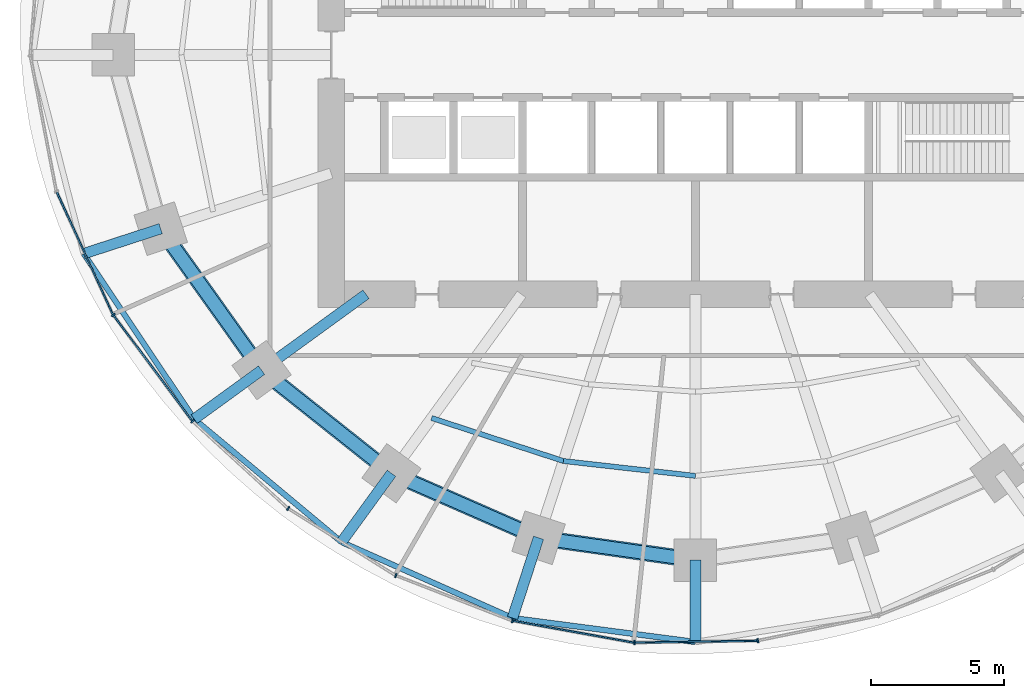
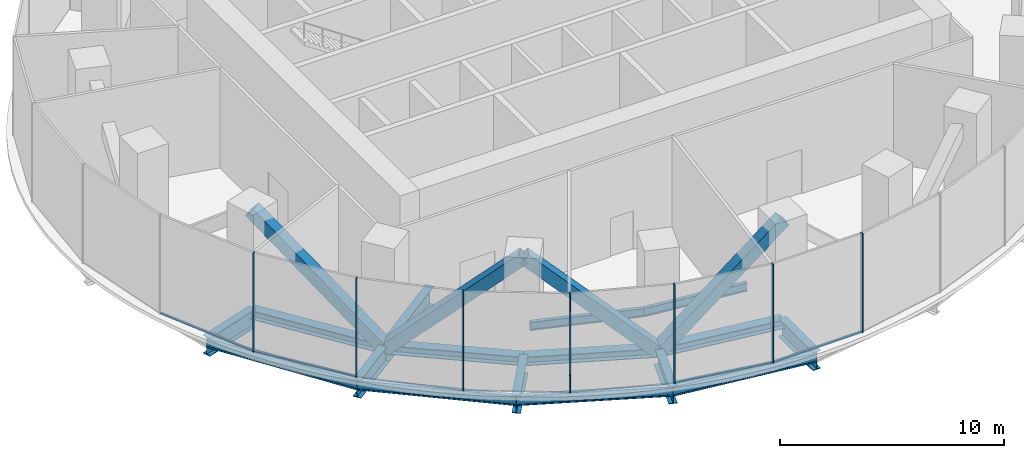
# One storey, part 2 of 14: 19 members, 12 beams, 2 elements without a shape of their own.
"""IFC4 building model written with IfcOpenShell, lengths in metres."""

from ifc_helpers import new_model, si_unit, direction, frame, origin, origin_2d, place, context, subcontext, project, spatial, rectangle, hollow_rectangle, i_section, extrude, material, material_profile, profile_set, type_object, element, aggregate, save


model = new_model("IFC4")

# Units and contexts
model_context = context("Model", 3, precision=1e-05, world=origin(), true_north=direction((0.0, 1.0)))
body_context = subcontext(model_context, "Body", "Model", "MODEL_VIEW")
ifc_project = project(units=[si_unit("LENGTHUNIT", "METRE"), si_unit("AREAUNIT", "SQUARE_METRE"), si_unit("VOLUMEUNIT", "CUBIC_METRE"), si_unit("PLANEANGLEUNIT", "RADIAN"), si_unit("MASSUNIT", "GRAM", prefix="KILO")], contexts=[model_context])

# Site, building, storey
site_placement = place(None, origin())
site = spatial("IfcSite", under=ifc_project, at=site_placement, CompositionType="ELEMENT")
building_placement = place(site_placement, origin())
building = spatial("IfcBuilding", under=site, at=building_placement, Name="Marramba Exchange Tower", CompositionType="ELEMENT")
storey_placement = place(building_placement, frame((0.0, 0.0, 166.5)))
storey = spatial("IfcBuildingStorey", under=building, at=storey_placement, Name="L40", CompositionType="ELEMENT", Elevation=166.5)

# Members
ifc_material_1 = material(Name="Steel AS/NZS 3679.2 grade 300", Category="steel")
ifc_material_profile_1 = material_profile(ifc_material_1, i_section(OverallWidth=0.5, OverallDepth=0.48388671875, WebThickness=0.02490234375, FlangeThickness=0.031982421875, at=origin_2d()), Name="500WC340")
ifc_profile_set_1 = profile_set([ifc_material_profile_1], Name="Steel AS/NZS 3679.2 grade 300")
member_type_1 = type_object("IfcMemberType", Name="Belt truss chord 500WC340", PredefinedType="CHORD", material=ifc_profile_set_1)
member_1_placement = place(storey_placement, frame((-20.109375, -6.533935546875, -0.44189453125), z_axis=(0.580637181111, -0.814162430914, 0.0), x_axis=(0.814162430914, 0.580637181111, 0.0)))
element("IfcMember", 1, at=member_1_placement, inside=storey, type_object=member_type_1, Name="Belt chord L40 TC12-TC13", PredefinedType="CHORD", context=body_context, shape_type="SweptSolid", body=[
    extrude(i_section(OverallWidth=0.5, OverallDepth=0.48388671875, WebThickness=0.02490234375, FlangeThickness=0.031982421875, at=origin_2d()), origin(), (0.0, 0.0, 1.0), 6.5341796875),
])
member_2_placement = place(storey_placement, frame((-16.3154296875, -11.853759765625, -0.44189453125), z_axis=(0.783139438128, -0.621846138887, 0.0), x_axis=(0.621846138887, 0.783139438128, 0.0)))
element("IfcMember", 2, at=member_2_placement, inside=storey, type_object=member_type_1, Name="Belt chord L40 TC13-TC14", PredefinedType="CHORD", context=body_context, shape_type="SweptSolid", body=[
    extrude(i_section(OverallWidth=0.5, OverallDepth=0.48388671875, WebThickness=0.02490234375, FlangeThickness=0.031982421875, at=origin_2d()), origin(), (0.0, 0.0, 1.0), 6.23779296875),
])
member_3_placement = place(storey_placement, frame((-11.430419921875, -15.732666015625, -0.44189453125), z_axis=(0.915876892158, -0.4014592363, 0.0), x_axis=(0.4014592363, 0.915876892158, 0.0)))
element("IfcMember", 3, at=member_3_placement, inside=storey, type_object=member_type_1, Name="Belt chord L40 TC14-TC15", PredefinedType="CHORD", context=body_context, shape_type="SweptSolid", body=[
    extrude(i_section(OverallWidth=0.5, OverallDepth=0.48388671875, WebThickness=0.02490234375, FlangeThickness=0.031982421875, at=origin_2d()), origin(), (0.0, 0.0, 1.0), 6.038818359375),
])
member_4_placement = place(storey_placement, frame((-5.899658203125, -18.156982421875, -0.44189453125), z_axis=(0.990036163016, -0.140813337152, 0.0), x_axis=(0.140813337152, 0.990036163016, 0.0)))
element("IfcMember", 4, at=member_4_placement, inside=storey, type_object=member_type_1, Name="Belt chord L40 TC15-TC16", PredefinedType="CHORD", context=body_context, shape_type="SweptSolid", body=[
    extrude(i_section(OverallWidth=0.5, OverallDepth=0.48388671875, WebThickness=0.02490234375, FlangeThickness=0.031982421875, at=origin_2d()), origin(), (0.0, 0.0, 1.0), 5.958984375),
])
ifc_material_2 = material(Name="Steel AS/NZS 3678 grade 350", Category="steel")
ifc_material_profile_2 = material_profile(ifc_material_2, hollow_rectangle(XDim=0.60009765625, YDim=0.60009765625, WallThickness=0.0400390625, at=origin_2d()), Name="600x600x40BOX")
ifc_profile_set_2 = profile_set([ifc_material_profile_2], Name="Steel AS/NZS 3678 grade 350")
member_type_2 = type_object("IfcMemberType", Name="Belt truss diagonal 600x600x40BOX", PredefinedType="BRACE", material=ifc_profile_set_2)
member_5_placement = place(storey_placement, frame((-20.109375, -6.533935546875, 5.157958984375), z_axis=(0.440879597365, -0.618196037746, -0.650737150885), x_axis=(0.814162430914, 0.580637181111, 0.0)))
element("IfcMember", 5, at=member_5_placement, inside=storey, type_object=member_type_2, Name="Belt truss BT40 diagonal 12", PredefinedType="BRACE", context=body_context, shape_type="SweptSolid", body=[
    extrude(hollow_rectangle(XDim=0.60009765625, YDim=0.60009765625, WallThickness=0.0400390625, at=origin_2d()), origin(), (0.0, 0.0, 1.0), 8.60546875),
])
member_6_placement = place(storey_placement, frame((-16.3154296875, -11.853759765625, -0.44189453125), z_axis=(0.582757533009, -0.462734353763, 0.668034861043), x_axis=(0.621846138887, 0.783139438128, 0.0)))
element("IfcMember", 6, at=member_6_placement, inside=storey, type_object=member_type_2, Name="Belt truss BT40 diagonal 13", PredefinedType="BRACE", context=body_context, shape_type="SweptSolid", body=[
    extrude(hollow_rectangle(XDim=0.60009765625, YDim=0.60009765625, WallThickness=0.0400390625, at=origin_2d()), origin(), (0.0, 0.0, 1.0), 8.382568359375),
])
member_7_placement = place(storey_placement, frame((-11.430419921875, -15.732666015625, 5.157958984375), z_axis=(0.67156810861, -0.294370588792, -0.679957522168), x_axis=(0.4014592363, 0.915876892158, 0.0)))
element("IfcMember", 7, at=member_7_placement, inside=storey, type_object=member_type_2, Name="Belt truss BT40 diagonal 14", PredefinedType="BRACE", context=body_context, shape_type="SweptSolid", body=[
    extrude(hollow_rectangle(XDim=0.60009765625, YDim=0.60009765625, WallThickness=0.0400390625, at=origin_2d()), origin(), (0.0, 0.0, 1.0), 8.235595703125),
])
member_8_placement = place(storey_placement, frame((-5.899658203125, -18.156982421875, -0.44189453125), z_axis=(0.721466673774, -0.102614564774, 0.684803687), x_axis=(0.140813337152, 0.990036163016, 0.0)))
element("IfcMember", 8, at=member_8_placement, inside=storey, type_object=member_type_2, Name="Belt truss BT40 diagonal 15", PredefinedType="BRACE", context=body_context, shape_type="SweptSolid", body=[
    extrude(hollow_rectangle(XDim=0.60009765625, YDim=0.60009765625, WallThickness=0.0400390625, at=origin_2d()), origin(), (0.0, 0.0, 1.0), 8.17724609375),
])

# Beams
ifc_material_profile_3 = material_profile(ifc_material_1, i_section(OverallWidth=0.39990234375, OverallDepth=1.0, WebThickness=0.01611328125, FlangeThickness=0.031982421875, at=origin_2d()), Name="1000WB322")
ifc_profile_set_3 = profile_set([ifc_material_profile_3], Name="Steel AS/NZS 3679.2 grade 300")
beam_type_1 = type_object("IfcBeamType", Name="Cantilever girder 1000WB322", PredefinedType="BEAM", material=ifc_profile_set_3)
beam_1_placement = place(storey_placement, frame((-20.109375, -6.533935546875, -0.699951171875), z_axis=(-0.951070617775, -0.308973591113, 0.0), x_axis=(0.308973591113, -0.951070617775, 0.0)))
element("IfcBeam", 9, at=beam_1_placement, inside=storey, type_object=beam_type_1, Name="Cantilever girder L40 TC12", PredefinedType="BEAM", context=body_context, shape_type="SweptSolid", body=[
    extrude(i_section(OverallWidth=0.39990234375, OverallDepth=1.0, WebThickness=0.01611328125, FlangeThickness=0.031982421875, at=origin_2d()), origin(), (0.0, 0.0, 1.0), 3.04296875),
])
beam_2_placement = place(storey_placement, frame((-16.3154296875, -11.853759765625, -0.699951171875), z_axis=(-0.809025813822, -0.587773113173, 0.0), x_axis=(0.587773113173, -0.809025813822, 0.0)))
element("IfcBeam", 10, at=beam_2_placement, inside=storey, type_object=beam_type_1, Name="Cantilever girder L40 TC13", PredefinedType="BEAM", context=body_context, shape_type="SweptSolid", body=[
    extrude(i_section(OverallWidth=0.39990234375, OverallDepth=1.0, WebThickness=0.01611328125, FlangeThickness=0.031982421875, at=origin_2d()), origin(), (0.0, 0.0, 1.0), 3.132568359375),
])
beam_3_placement = place(storey_placement, frame((-11.430419921875, -15.732666015625, -0.699951171875), z_axis=(-0.587767308424, -0.809030031054, 0.0), x_axis=(0.809030031054, -0.587767308424, 0.0)))
element("IfcBeam", 11, at=beam_3_placement, inside=storey, type_object=beam_type_1, Name="Cantilever girder L40 TC14", PredefinedType="BEAM", context=body_context, shape_type="SweptSolid", body=[
    extrude(i_section(OverallWidth=0.39990234375, OverallDepth=1.0, WebThickness=0.01611328125, FlangeThickness=0.031982421875, at=origin_2d()), origin(), (0.0, 0.0, 1.0), 3.195556640625),
])
beam_4_placement = place(storey_placement, frame((-5.899658203125, -18.156982421875, -0.699951171875), z_axis=(-0.309018232614, -0.951056113966, 0.0), x_axis=(0.951056113966, -0.309018232614, 0.0)))
element("IfcBeam", 12, at=beam_4_placement, inside=storey, type_object=beam_type_1, Name="Cantilever girder L40 TC15", PredefinedType="BEAM", context=body_context, shape_type="SweptSolid", body=[
    extrude(i_section(OverallWidth=0.39990234375, OverallDepth=1.0, WebThickness=0.01611328125, FlangeThickness=0.031982421875, at=origin_2d()), origin(), (0.0, 0.0, 1.0), 3.173583984375),
])
beam_5_placement = place(storey_placement, frame((0.0, -18.99609375, -0.699951171875), z_axis=(0.0, -1.0, 0.0), x_axis=(1.0, 0.0, 0.0)))
element("IfcBeam", 13, at=beam_5_placement, inside=storey, type_object=beam_type_1, Name="Cantilever girder L40 TC16", PredefinedType="BEAM", context=body_context, shape_type="SweptSolid", body=[
    extrude(i_section(OverallWidth=0.39990234375, OverallDepth=1.0, WebThickness=0.01611328125, FlangeThickness=0.031982421875, at=origin_2d()), origin(), (0.0, 0.0, 1.0), 3.080810546875),
])
ifc_material_3 = material(Name="Steel AS/NZS 3679.1 grade 300", Category="steel")
ifc_material_profile_4 = material_profile(ifc_material_3, i_section(OverallWidth=0.19091796875, OverallDepth=0.4599609375, WebThickness=0.010009765625, FlangeThickness=0.01611328125, FilletRadius=0.011474609375, at=origin_2d()), Name="460UB82.1")
ifc_profile_set_4 = profile_set([ifc_material_profile_4], Name="Steel AS/NZS 3679.1 grade 300")
beam_type_2 = type_object("IfcBeamType", Name="Floor joist 460UB82.1", PredefinedType="JOIST", material=ifc_profile_set_4)
beam_6_placement = place(storey_placement, frame((-9.9208984375, -13.655029296875, -0.429931640625), z_axis=(0.950764024931, -0.309915744834, 0.0), x_axis=(0.309915744834, 0.950764024931, 0.0)))
element("IfcBeam", 14, at=beam_6_placement, inside=storey, type_object=beam_type_2, Name="Joist L40 bay 14 row 2", PredefinedType="JOIST", context=body_context, shape_type="SweptSolid", body=[
    extrude(i_section(OverallWidth=0.19091796875, OverallDepth=0.4599609375, WebThickness=0.010009765625, FlangeThickness=0.01611328125, FilletRadius=0.011474609375, at=origin_2d()), origin(), (0.0, 0.0, 1.0), 5.2158203125),
])
beam_7_placement = place(storey_placement, frame((-4.9619140625, -15.271484375, -0.429931640625), z_axis=(0.993712018573, -0.111966174106, 0.0), x_axis=(0.111966174106, 0.993712018573, 0.0)))
element("IfcBeam", 15, at=beam_7_placement, inside=storey, type_object=beam_type_2, Name="Joist L40 bay 15 row 2", PredefinedType="JOIST", context=body_context, shape_type="SweptSolid", body=[
    extrude(i_section(OverallWidth=0.19091796875, OverallDepth=0.4599609375, WebThickness=0.010009765625, FlangeThickness=0.01611328125, FilletRadius=0.011474609375, at=origin_2d()), origin(), (0.0, 0.0, 1.0), 4.993408203125),
])

# Curtain wall, members
ifc_material_4 = material(Name="Aluminium framing, bronze anodised", Category="aluminium")
curtain_wall_type = type_object("IfcCurtainWallType", Name="Plant floor louvred curtain wall", PredefinedType="USERDEFINED", material=ifc_material_4)
curtain_wall_1_placement = place(storey_placement, origin())
curtain_wall_1 = element("IfcCurtainWall", 16, at=curtain_wall_1_placement, inside=storey, type_object=curtain_wall_type, Name="Curtain wall CW6 L40 F16-F20", ObjectType="RIBBON CURTAIN WALL", PredefinedType="USERDEFINED")
ifc_material_5 = material(Name="Aluminium mullion, bronze anodised", Category="aluminium")
ifc_material_profile_5 = material_profile(ifc_material_5, rectangle(XDim=0.159912109375, YDim=0.06005859375, at=origin_2d()), Name="CW6 mullion 60x160")
ifc_profile_set_5 = profile_set([ifc_material_profile_5], Name="Aluminium mullion, bronze anodised")
member_type_3 = type_object("IfcMemberType", Name="Plant floor louvred curtain wall mullion", PredefinedType="MULLION", material=ifc_profile_set_5)
member_9_placement = place(storey_placement, frame((-21.891357421875, -9.778564453125, 0.0), z_axis=(0.0, 0.0, 1.0), x_axis=(0.802014400683, 0.597304697033, 0.0)))
member_9 = element("IfcMember", 17, at=member_9_placement, type_object=member_type_3, Name="CW6 mullion 1", PredefinedType="MULLION", context=body_context, shape_type="SweptSolid", body=[
    extrude(rectangle(XDim=0.159912109375, YDim=0.06005859375, at=origin_2d()), origin(), (0.0, 0.0, 1.0), 5.39990234375),
])
member_10_placement = place(storey_placement, frame((-18.90869140625, -13.774169921875, 0.0), z_axis=(0.0, 0.0, 1.0), x_axis=(0.674995455115, 0.737821886077, 0.0)))
member_10 = element("IfcMember", 18, at=member_10_placement, type_object=member_type_3, Name="CW6 mullion 1", PredefinedType="MULLION", context=body_context, shape_type="SweptSolid", body=[
    extrude(rectangle(XDim=0.159912109375, YDim=0.06005859375, at=origin_2d()), origin(), (0.0, 0.0, 1.0), 5.39990234375),
])
member_11_placement = place(storey_placement, frame((-15.315673828125, -17.053955078125, 0.0), z_axis=(0.0, 0.0, 1.0), x_axis=(0.52942844364, 0.84835459748, 0.0)))
member_11 = element("IfcMember", 19, at=member_11_placement, type_object=member_type_3, Name="CW6 mullion 1", PredefinedType="MULLION", context=body_context, shape_type="SweptSolid", body=[
    extrude(rectangle(XDim=0.159912109375, YDim=0.06005859375, at=origin_2d()), origin(), (0.0, 0.0, 1.0), 5.39990234375),
])

curtain_wall_2_placement = place(storey_placement, origin())
curtain_wall_2 = element("IfcCurtainWall", 20, at=curtain_wall_2_placement, inside=storey, type_object=curtain_wall_type, Name="Curtain wall CW6 L40 F21-F25", ObjectType="RIBBON CURTAIN WALL", PredefinedType="USERDEFINED")
member_12_placement = place(storey_placement, frame((-11.266845703125, -19.573974609375, 0.0), z_axis=(0.0, 0.0, 1.0), x_axis=(0.36292490603, 0.931818390344, 0.0)))
member_12 = element("IfcMember", 21, at=member_12_placement, type_object=member_type_3, Name="CW6 mullion 1", PredefinedType="MULLION", context=body_context, shape_type="SweptSolid", body=[
    extrude(rectangle(XDim=0.159912109375, YDim=0.06005859375, at=origin_2d()), origin(), (0.0, 0.0, 1.0), 5.39990234375),
])
member_13_placement = place(storey_placement, frame((-6.881591796875, -21.27587890625, 0.0), z_axis=(0.0, 0.0, 1.0), x_axis=(0.177992379115, 0.984031865834, 0.0)))
member_13 = element("IfcMember", 22, at=member_13_placement, type_object=member_type_3, Name="CW6 mullion 1", PredefinedType="MULLION", context=body_context, shape_type="SweptSolid", body=[
    extrude(rectangle(XDim=0.159912109375, YDim=0.06005859375, at=origin_2d()), origin(), (0.0, 0.0, 1.0), 5.39990234375),
])
member_14_placement = place(storey_placement, frame((-2.292724609375, -22.099853515625, 0.0), z_axis=(0.0, 0.0, 1.0), x_axis=(-0.015178646521, 0.999884797709, 0.0)))
member_14 = element("IfcMember", 23, at=member_14_placement, type_object=member_type_3, Name="CW6 mullion 1", PredefinedType="MULLION", context=body_context, shape_type="SweptSolid", body=[
    extrude(rectangle(XDim=0.159912109375, YDim=0.06005859375, at=origin_2d()), origin(), (0.0, 0.0, 1.0), 5.39990234375),
])
member_15_placement = place(storey_placement, frame((2.3447265625, -22.02392578125, 0.0), z_axis=(0.0, 0.0, 1.0), x_axis=(-0.202364850159, 0.979310199794, 0.0)))
member_15 = element("IfcMember", 24, at=member_15_placement, type_object=member_type_3, Name="CW6 mullion 1", PredefinedType="MULLION", context=body_context, shape_type="SweptSolid", body=[
    extrude(rectangle(XDim=0.159912109375, YDim=0.06005859375, at=origin_2d()), origin(), (0.0, 0.0, 1.0), 5.39990234375),
])

# Member
ifc_material_6 = material(Name="Aluminium transom, bronze anodised", Category="aluminium")
ifc_material_profile_6 = material_profile(ifc_material_6, rectangle(XDim=0.06005859375, YDim=0.1201171875, at=origin_2d()), Name="CW6 transom 60x120")
ifc_profile_set_6 = profile_set([ifc_material_profile_6], Name="Aluminium transom, bronze anodised")
member_type_4 = type_object("IfcMemberType", Name="Plant floor louvred curtain wall transom", PredefinedType="USERDEFINED", material=ifc_profile_set_6)
member_16_placement = place(storey_placement, frame((-24.013671875, -5.1640625, 0.030029296875), z_axis=(0.416732948599, -0.909028959688, 0.0), x_axis=(0.909028959688, 0.416732948599, 0.0)))
member_16 = element("IfcMember", 25, at=member_16_placement, type_object=member_type_4, Name="CW6 sill transom", ObjectType="TRANSOM", PredefinedType="USERDEFINED", context=body_context, shape_type="SweptSolid", body=[
    extrude(rectangle(XDim=0.06005859375, YDim=0.1201171875, at=origin_2d()), origin(), (0.0, 0.0, 1.0), 5.050048828125),
])

member_17_placement = place(storey_placement, frame((-21.873291015625, -9.802734375, 0.030029296875), z_axis=(0.597300736643, -0.80201735019, 0.0), x_axis=(0.80201735019, 0.597300736643, 0.0)))
member_17 = element("IfcMember", 26, at=member_17_placement, type_object=member_type_4, Name="CW6 sill transom", ObjectType="TRANSOM", PredefinedType="USERDEFINED", context=body_context, shape_type="SweptSolid", body=[
    extrude(rectangle(XDim=0.06005859375, YDim=0.1201171875, at=origin_2d()), origin(), (0.0, 0.0, 1.0), 4.926513671875),
])

aggregate(curtain_wall_1, [member_16, member_9, member_17, member_10, member_11])

member_18_placement = place(storey_placement, frame((-6.85205078125, -21.281005859375, 0.030029296875), z_axis=(0.98402906811, -0.178007845654, 0.0), x_axis=(0.178007845654, 0.98402906811, 0.0)))
member_18 = element("IfcMember", 27, at=member_18_placement, type_object=member_type_4, Name="CW6 sill transom", ObjectType="TRANSOM", PredefinedType="USERDEFINED", context=body_context, shape_type="SweptSolid", body=[
    extrude(rectangle(XDim=0.06005859375, YDim=0.1201171875, at=origin_2d()), origin(), (0.0, 0.0, 1.0), 4.602783203125),
])

member_19_placement = place(storey_placement, frame((-2.262939453125, -22.099365234375, 0.030029296875), z_axis=(0.999885345665, 0.015142507235, 0.0), x_axis=(-0.015142507235, 0.999885345665, 0.0)))
member_19 = element("IfcMember", 28, at=member_19_placement, type_object=member_type_4, Name="CW6 sill transom", ObjectType="TRANSOM", PredefinedType="USERDEFINED", context=body_context, shape_type="SweptSolid", body=[
    extrude(rectangle(XDim=0.06005859375, YDim=0.1201171875, at=origin_2d()), origin(), (0.0, 0.0, 1.0), 4.578857421875),
])

aggregate(curtain_wall_2, [member_12, member_13, member_18, member_14, member_19, member_15])

# Beams
ifc_material_profile_7 = material_profile(ifc_material_1, i_section(OverallWidth=0.39990234375, OverallDepth=1.0, WebThickness=0.01611328125, FlangeThickness=0.031982421875, at=origin_2d()), Name="1000WB322")
ifc_profile_set_7 = profile_set([ifc_material_profile_7], Name="Steel AS/NZS 3679.2 grade 300")
beam_type_3 = type_object("IfcBeamType", Name="Radial girder 1000WB322", PredefinedType="BEAM", material=ifc_profile_set_7)
beam_8_placement = place(storey_placement, frame((-12.387451171875, -9.0, -0.699951171875), z_axis=(-0.809025189606, -0.58777397236, 0.0), x_axis=(0.58777397236, -0.809025189606, 0.0)))
element("IfcBeam", 29, at=beam_8_placement, inside=storey, type_object=beam_type_3, Name="Radial girder L40 TC13", PredefinedType="BEAM", context=body_context, shape_type="SweptSolid", body=[
    extrude(i_section(OverallWidth=0.39990234375, OverallDepth=1.0, WebThickness=0.01611328125, FlangeThickness=0.031982421875, at=origin_2d()), origin(), (0.0, 0.0, 1.0), 4.855224609375),
])
ifc_material_profile_8 = material_profile(ifc_material_3, i_section(OverallWidth=0.208984375, OverallDepth=0.528076171875, WebThickness=0.009521484375, FlangeThickness=0.01318359375, FilletRadius=0.013916015625, at=origin_2d()), Name="530UB82.0")
ifc_profile_set_8 = profile_set([ifc_material_profile_8], Name="Steel AS/NZS 3679.1 grade 300")
beam_type_4 = type_object("IfcBeamType", Name="Slab edge beam 530UB82.0", PredefinedType="SPANDREL", material=ifc_profile_set_8)
beam_9_placement = place(storey_placement, frame((-23.00341796875, -7.47412109375, -0.464111328125), z_axis=(0.555280023791, -0.831663450669, 0.0), x_axis=(0.831663450669, 0.555280023791, 0.0)))
element("IfcBeam", 30, at=beam_9_placement, inside=storey, type_object=beam_type_4, Name="Slab edge beam L40 TC12-TC13", PredefinedType="SPANDREL", context=body_context, shape_type="SweptSolid", body=[
    extrude(i_section(OverallWidth=0.208984375, OverallDepth=0.528076171875, WebThickness=0.009521484375, FlangeThickness=0.01318359375, FilletRadius=0.013916015625, at=origin_2d()), origin(), (0.0, 0.0, 1.0), 7.480224609375),
])
beam_10_placement = place(storey_placement, frame((-18.849853515625, -13.695068359375, -0.464111328125), z_axis=(0.767874532322, -0.640600267415, 0.0), x_axis=(0.640600267415, 0.767874532322, 0.0)))
element("IfcBeam", 31, at=beam_10_placement, inside=storey, type_object=beam_type_4, Name="Slab edge beam L40 TC13-TC14", PredefinedType="SPANDREL", context=body_context, shape_type="SweptSolid", body=[
    extrude(i_section(OverallWidth=0.208984375, OverallDepth=0.528076171875, WebThickness=0.009521484375, FlangeThickness=0.01318359375, FilletRadius=0.013916015625, at=origin_2d()), origin(), (0.0, 0.0, 1.0), 7.21630859375),
])
beam_11_placement = place(storey_placement, frame((-13.30859375, -18.31787109375, -0.464111328125), z_axis=(0.913788648873, -0.406189986571, 0.0), x_axis=(0.406189986571, 0.913788648873, 0.0)))
element("IfcBeam", 32, at=beam_11_placement, inside=storey, type_object=beam_type_4, Name="Slab edge beam L40 TC14-TC15", PredefinedType="SPANDREL", context=body_context, shape_type="SweptSolid", body=[
    extrude(i_section(OverallWidth=0.208984375, OverallDepth=0.528076171875, WebThickness=0.009521484375, FlangeThickness=0.01318359375, FilletRadius=0.013916015625, at=origin_2d()), origin(), (0.0, 0.0, 1.0), 7.03466796875),
])
beam_12_placement = place(storey_placement, frame((-6.88037109375, -21.17529296875, -0.464111328125), z_axis=(0.991523133546, -0.129930272237, 0.0), x_axis=(0.129930272237, 0.991523133546, 0.0)))
element("IfcBeam", 33, at=beam_12_placement, inside=storey, type_object=beam_type_4, Name="Slab edge beam L40 TC15-TC16", PredefinedType="SPANDREL", context=body_context, shape_type="SweptSolid", body=[
    extrude(i_section(OverallWidth=0.208984375, OverallDepth=0.528076171875, WebThickness=0.009521484375, FlangeThickness=0.01318359375, FilletRadius=0.013916015625, at=origin_2d()), origin(), (0.0, 0.0, 1.0), 6.939208984375),
])

save(model, "model.ifc")
